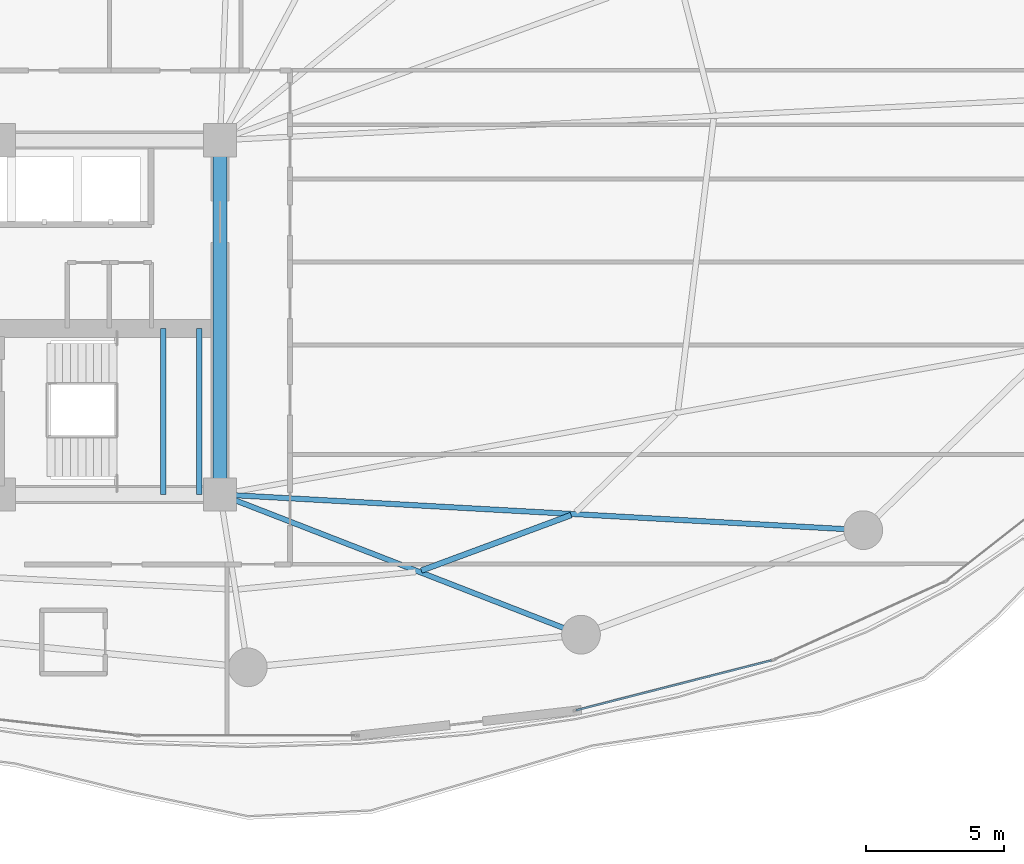
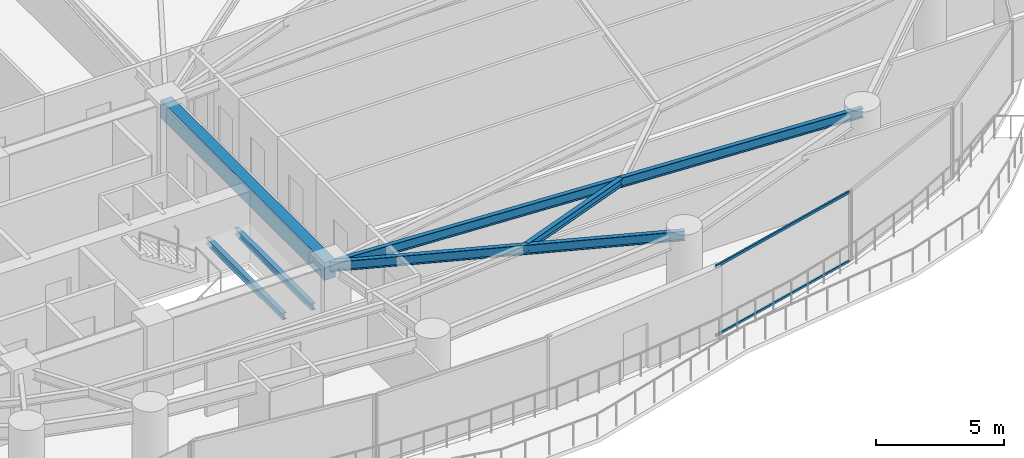
# One storey, part 12 of 33: 6 beams, 2 members, 1 element without a shape of its own.
"""IFC4 building model written with IfcOpenShell, lengths in metres."""

from ifc_helpers import new_model, si_unit, direction, frame, origin, origin_2d, place, context, subcontext, project, spatial, rectangle, hollow_rectangle, i_section, extrude, material, layer, layer_set, material_profile, profile_set, type_object, element, aggregate, save


model = new_model("IFC4")

# Units and contexts
model_context = context("Model", 3, precision=1e-05, world=origin(), true_north=direction((0.0, 1.0)))
body_context = subcontext(model_context, "Body", "Model", "MODEL_VIEW")
ifc_project = project(units=[si_unit("LENGTHUNIT", "METRE"), si_unit("AREAUNIT", "SQUARE_METRE"), si_unit("VOLUMEUNIT", "CUBIC_METRE"), si_unit("PLANEANGLEUNIT", "RADIAN"), si_unit("MASSUNIT", "GRAM", prefix="KILO")], contexts=[model_context])

# Site, building, storey
site_placement = place(None, origin())
site = spatial("IfcSite", under=ifc_project, at=site_placement, CompositionType="ELEMENT")
building_placement = place(site_placement, origin())
building = spatial("IfcBuilding", under=site, at=building_placement, Name="Kazevale Care Tower and Concert Hall", CompositionType="ELEMENT")
storey_placement = place(building_placement, frame((0.0, 0.0, 52.800048828125)))
storey = spatial("IfcBuildingStorey", under=building, at=storey_placement, Name="L13", CompositionType="ELEMENT", Elevation=52.800048828125)

# Curtain wall, members
ifc_material_1 = material(Name="Aluminium 6063-T6 and Low-E Glass", Category="aluminium")
ifc_layer = layer(ifc_material_1, 0.179931640625)
ifc_layer_set = layer_set([ifc_layer], Name="Aluminium 6063-T6 and Low-E Glass")
curtain_wall_type = type_object("IfcCurtainWallType", Name="Sheltered Concave Balcony Curtain Wall CW-5", PredefinedType="NOTDEFINED", material=ifc_layer_set)
curtain_wall_placement = place(storey_placement, origin())
curtain_wall = element("IfcCurtainWall", 1, at=curtain_wall_placement, inside=storey, type_object=curtain_wall_type, Name="cw:L13:f04", PredefinedType="NOTDEFINED")
ifc_material_2 = material(Name="Aluminium 6063-T6", Category="aluminium")
ifc_material_profile_1 = material_profile(ifc_material_2, hollow_rectangle(XDim=0.074951171875, YDim=0.1201171875, WallThickness=0.00390625, at=origin_2d()), Name="ALU75x120x4")
ifc_profile_set_1 = profile_set([ifc_material_profile_1], Name="Aluminium 6063-T6")
member_type = type_object("IfcMemberType", Name="CW-5 Transom ALU75x120x4", PredefinedType="USERDEFINED", material=ifc_profile_set_1)
member_1_placement = place(storey_placement, frame((63.915283203125, 17.599365234375, 0.037353515625), z_axis=(-0.968960816419, -0.24721435283, 0.0), x_axis=(0.24721435283, -0.968960816419, 0.0)))
member_1 = element("IfcMember", 2, at=member_1_placement, type_object=member_type, Name="CW-5 transom 1.1", ObjectType="TRANSOM", PredefinedType="USERDEFINED", context=body_context, shape_type="SweptSolid", body=[
    extrude(hollow_rectangle(XDim=0.074951171875, YDim=0.1201171875, WallThickness=0.00390625, at=origin_2d()), origin(), (0.0, 0.0, 1.0), 7.2763671875),
])
member_2_placement = place(storey_placement, frame((63.915283203125, 17.599365234375, 3.322509765625), z_axis=(-0.968960816419, -0.24721435283, 0.0), x_axis=(0.24721435283, -0.968960816419, 0.0)))
member_2 = element("IfcMember", 3, at=member_2_placement, type_object=member_type, Name="CW-5 transom 1.2", ObjectType="TRANSOM", PredefinedType="USERDEFINED", context=body_context, shape_type="SweptSolid", body=[
    extrude(hollow_rectangle(XDim=0.074951171875, YDim=0.1201171875, WallThickness=0.00390625, at=origin_2d()), origin(), (0.0, 0.0, 1.0), 7.2763671875),
])
aggregate(curtain_wall, [member_1, member_2])

# Beams
ifc_material_3 = material(Name="Concrete C60", Category="concrete")
ifc_material_profile_2 = material_profile(ifc_material_3, rectangle(XDim=0.5, YDim=0.85009765625, at=origin_2d()), Name="RC-B500x850")
ifc_profile_set_2 = profile_set([ifc_material_profile_2], Name="Concrete C60")
beam_type_1 = type_object("IfcBeamType", Name="Core Coupling Beam RC500x850", PredefinedType="LINTEL", material=ifc_profile_set_2)
beam_1_placement = place(storey_placement, frame((44.0, 23.60009765625, 2.93505859375), z_axis=(0.0, 1.0, 0.0), x_axis=(-1.0, 0.0, 0.0)))
element("IfcBeam", 4, at=beam_1_placement, inside=storey, type_object=beam_type_1, Name="beam:L13:coretie:4", PredefinedType="LINTEL", context=body_context, shape_type="SweptSolid", body=[
    extrude(rectangle(XDim=0.5, YDim=0.85009765625, at=origin_2d()), origin(), (0.0, 0.0, 1.0), 12.7998046875),
])
ifc_material_4 = material(Name="Steel ASTM A572 Gr 50", Category="steel")
ifc_material_profile_3 = material_profile(ifc_material_4, i_section(OverallWidth=0.19091796875, OverallDepth=0.4599609375, WebThickness=0.010009765625, FlangeThickness=0.01611328125, at=origin_2d()), Name="W460x82")
ifc_profile_set_3 = profile_set([ifc_material_profile_3], Name="Steel ASTM A572 Gr 50")
beam_type_2 = type_object("IfcBeamType", Name="Radial Floor Beam W460x82", PredefinedType="BEAM", material=ifc_profile_set_3)
beam_2_placement = place(storey_placement, frame((44.0, 23.60009765625, 3.1298828125), z_axis=(0.932030212407, -0.362380577792, 0.0), x_axis=(0.362380577792, 0.932030212407, 0.0)))
element("IfcBeam", 5, at=beam_2_placement, inside=storey, type_object=beam_type_2, Name="beam:L13:rad:14", PredefinedType="BEAM", context=body_context, shape_type="SweptSolid", body=[
    extrude(i_section(OverallWidth=0.19091796875, OverallDepth=0.4599609375, WebThickness=0.010009765625, FlangeThickness=0.01611328125, at=origin_2d()), origin(), (0.0, 0.0, 1.0), 13.990966796875),
])
beam_3_placement = place(storey_placement, frame((44.0, 23.60009765625, 3.1298828125), z_axis=(0.998462901796, -0.055424125948, 0.0), x_axis=(0.055424125948, 0.998462901796, 0.0)))
element("IfcBeam", 6, at=beam_3_placement, inside=storey, type_object=beam_type_2, Name="beam:L13:rad:15", PredefinedType="BEAM", context=body_context, shape_type="SweptSolid", body=[
    extrude(i_section(OverallWidth=0.19091796875, OverallDepth=0.4599609375, WebThickness=0.010009765625, FlangeThickness=0.01611328125, at=origin_2d()), origin(), (0.0, 0.0, 1.0), 23.27587890625),
])
ifc_material_profile_4 = material_profile(ifc_material_4, i_section(OverallWidth=0.205078125, OverallDepth=0.35400390625, WebThickness=0.009521484375, FlangeThickness=0.016845703125, at=origin_2d()), Name="W360x79")
ifc_profile_set_4 = profile_set([ifc_material_profile_4], Name="Steel ASTM A572 Gr 50")
beam_type_3 = type_object("IfcBeamType", Name="Secondary Floor Joist W360x79", PredefinedType="JOIST", material=ifc_profile_set_4)
beam_4_placement = place(storey_placement, frame((51.27001953125, 20.847900390625, 3.182861328125), z_axis=(0.937698254396, 0.347450692477, 0.0), x_axis=(-0.347450692477, 0.937698254396, 0.0)))
element("IfcBeam", 7, at=beam_4_placement, inside=storey, type_object=beam_type_3, Name="beam:L13:joist:14", PredefinedType="JOIST", context=body_context, shape_type="SweptSolid", body=[
    extrude(i_section(OverallWidth=0.205078125, OverallDepth=0.35400390625, WebThickness=0.009521484375, FlangeThickness=0.016845703125, at=origin_2d()), origin(), (0.0, 0.0, 1.0), 5.773681640625),
])
ifc_material_profile_5 = material_profile(ifc_material_4, i_section(OverallWidth=0.202880859375, OverallDepth=0.302978515625, WebThickness=0.007568359375, FlangeThickness=0.01318359375, at=origin_2d()), Name="W310x60")
ifc_profile_set_5 = profile_set([ifc_material_profile_5], Name="Steel ASTM A572 Gr 50")
beam_type_4 = type_object("IfcBeamType", Name="Stair & Balcony Trimmer W310x60", PredefinedType="BEAM", material=ifc_profile_set_5)
for number, where, z_axis, x_axis, name in (
    (8, (41.949951171875, 23.60009765625, 1.448486328125), (0.0, 1.0, 0.0), (-1.0, 0.0, 0.0), "beam:L13:sttrim:ST2"),
    (9, (43.25, 23.60009765625, 1.448486328125), (0.0, 1.0, 0.0), (-1.0, 0.0, 0.0), "beam:L13:sttrim:ST2b"),
):
    element("IfcBeam", number, at=place(storey_placement, frame(where, z_axis=z_axis, x_axis=x_axis)), inside=storey, type_object=beam_type_4, Name=name, PredefinedType="BEAM", context=body_context, shape_type="SweptSolid", body=[
        extrude(i_section(OverallWidth=0.202880859375, OverallDepth=0.302978515625, WebThickness=0.007568359375, FlangeThickness=0.01318359375, at=origin_2d()), origin(), (0.0, 0.0, 1.0), 6.0),
    ])

save(model, "model.ifc")
